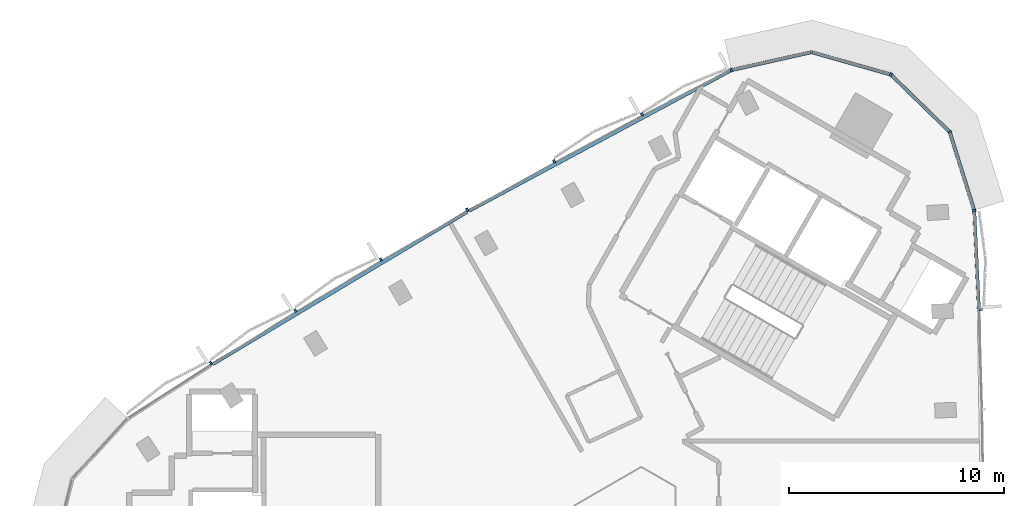
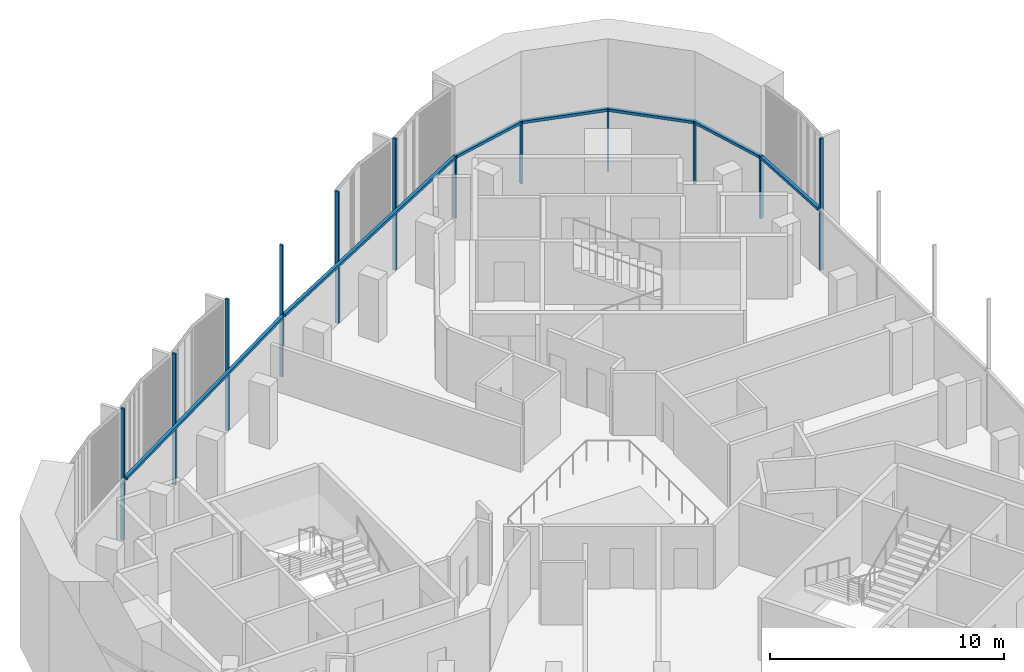
# One storey, part 4 of 12: 19 members, 2 elements without a shape of their own.
"""IFC4 building model written with IfcOpenShell, lengths in metres."""

from ifc_helpers import new_model, si_unit, direction, frame, origin, origin_2d, place, context, subcontext, project, spatial, rectangle, extrude, material, material_profile, profile_set, type_object, element, aggregate, save


model = new_model("IFC4")

# Units and contexts
model_context = context("Model", 3, precision=1e-05, world=origin(), true_north=direction((0.0, 1.0)))
body_context = subcontext(model_context, "Body", "Model", "MODEL_VIEW")
ifc_project = project(units=[si_unit("LENGTHUNIT", "METRE"), si_unit("AREAUNIT", "SQUARE_METRE"), si_unit("VOLUMEUNIT", "CUBIC_METRE"), si_unit("PLANEANGLEUNIT", "RADIAN"), si_unit("MASSUNIT", "GRAM", prefix="KILO")], contexts=[model_context])

# Site, building, storey
site_placement = place(None, origin())
site = spatial("IfcSite", under=ifc_project, at=site_placement, CompositionType="ELEMENT")
building_placement = place(site_placement, origin())
building = spatial("IfcBuilding", under=site, at=building_placement, Name="Tamra Quay Hotel Tower", CompositionType="ELEMENT")
storey_placement = place(building_placement, frame((0.0, 0.0, 262.199951171875)))
storey = spatial("IfcBuildingStorey", under=building, at=storey_placement, Name="L66", CompositionType="ELEMENT", Elevation=262.199951171875)

# Curtain wall, members
ifc_material = material(Name="Aluminium 6063 anodised dark grey", Category="aluminium")
curtain_wall_type_1 = type_object("IfcCurtainWallType", Name="CW1 CURTAIN WALL", PredefinedType="NOTDEFINED", material=ifc_material)
curtain_wall_1_placement = place(storey_placement, origin())
curtain_wall_1 = element("IfcCurtainWall", 1, at=curtain_wall_1_placement, inside=storey, type_object=curtain_wall_type_1, Name="CW1 east face L66", PredefinedType="NOTDEFINED")
ifc_material_profile_1 = material_profile(ifc_material, rectangle(XDim=0.159912109375, YDim=0.10009765625, at=origin_2d()), Name="MULLION 100X160")
ifc_profile_set_1 = profile_set([ifc_material_profile_1], Name="Aluminium 6063 anodised dark grey")
member_type_1 = type_object("IfcMemberType", Name="MULLION CW1 Z6", PredefinedType="MULLION", material=ifc_profile_set_1)
member_1_placement = place(storey_placement, frame((17.19677734375, 11.583984375, 0.0), z_axis=(0.0, 0.0, 1.0), x_axis=(0.999237932992, 0.039032720501, 0.0)))
member_1 = element("IfcMember", 2, at=member_1_placement, type_object=member_type_1, Name="CW1 mullion L66.E.7", PredefinedType="MULLION", context=body_context, shape_type="SweptSolid", body=[
    extrude(rectangle(XDim=0.159912109375, YDim=0.10009765625, at=origin_2d()), origin(), (0.0, 0.0, 1.0), 6.85009765625),
])
member_2_placement = place(storey_placement, frame((16.89990234375, 16.210205078125, 0.0), z_axis=(0.0, 0.0, 1.0), x_axis=(0.984739919862, 0.174032440167, 0.0)))
member_2 = element("IfcMember", 3, at=member_2_placement, type_object=member_type_1, Name="CW1 mullion L66.E.8", PredefinedType="MULLION", context=body_context, shape_type="SweptSolid", body=[
    extrude(rectangle(XDim=0.159912109375, YDim=0.10009765625, at=origin_2d()), origin(), (0.0, 0.0, 1.0), 3.25),
])
member_3_placement = place(storey_placement, frame((15.757080078125, 19.865966796875, 0.0), z_axis=(0.0, 0.0, 1.0), x_axis=(0.851964184595, 0.523600065094, 0.0)))
member_3 = element("IfcMember", 4, at=member_3_placement, type_object=member_type_1, Name="CW1 mullion L66.E.9", PredefinedType="MULLION", context=body_context, shape_type="SweptSolid", body=[
    extrude(rectangle(XDim=0.159912109375, YDim=0.10009765625, at=origin_2d()), origin(), (0.0, 0.0, 1.0), 3.25),
])
member_4_placement = place(storey_placement, frame((13.01171875, 22.536865234375, 0.0), z_axis=(0.0, 0.0, 1.0), x_axis=(0.5, 0.866025403784, 0.0)))
member_4 = element("IfcMember", 5, at=member_4_placement, type_object=member_type_1, Name="CW1 mullion L66.E.10", PredefinedType="MULLION", context=body_context, shape_type="SweptSolid", body=[
    extrude(rectangle(XDim=0.159912109375, YDim=0.10009765625, at=origin_2d()), origin(), (0.0, 0.0, 1.0), 3.25),
])
member_5_placement = place(storey_placement, frame((9.325927734375, 23.578857421875, 0.0), z_axis=(0.0, 0.0, 1.0), x_axis=(0.027468865497, 0.999622659521, 0.0)))
member_5 = element("IfcMember", 6, at=member_5_placement, type_object=member_type_1, Name="CW1 mullion L66.E.11", PredefinedType="MULLION", context=body_context, shape_type="SweptSolid", body=[
    extrude(rectangle(XDim=0.159912109375, YDim=0.10009765625, at=origin_2d()), origin(), (0.0, 0.0, 1.0), 3.25),
])

curtain_wall_type_2 = type_object("IfcCurtainWallType", Name="CW2 CURTAIN WALL", PredefinedType="NOTDEFINED", material=ifc_material)
curtain_wall_2_placement = place(storey_placement, origin())
curtain_wall_2 = element("IfcCurtainWall", 7, at=curtain_wall_2_placement, inside=storey, type_object=curtain_wall_type_2, Name="CW2 north-west face L66", PredefinedType="NOTDEFINED")
ifc_material_profile_2 = material_profile(ifc_material, rectangle(XDim=0.159912109375, YDim=0.10009765625, at=origin_2d()), Name="MULLION 100X160")
ifc_profile_set_2 = profile_set([ifc_material_profile_2], Name="Aluminium 6063 anodised dark grey")
member_type_2 = type_object("IfcMemberType", Name="MULLION CW2 Z6", PredefinedType="MULLION", material=ifc_profile_set_2)
member_6_placement = place(storey_placement, frame((5.588623046875, 22.740966796875, 0.0), z_axis=(0.0, 0.0, 1.0), x_axis=(-0.341653445664, 0.939826006804, 0.0)))
member_6 = element("IfcMember", 8, at=member_6_placement, type_object=member_type_2, Name="CW2 mullion L66.NW.1", PredefinedType="MULLION", context=body_context, shape_type="SweptSolid", body=[
    extrude(rectangle(XDim=0.159912109375, YDim=0.10009765625, at=origin_2d()), origin(), (0.0, 0.0, 1.0), 3.25),
])
member_7_placement = place(storey_placement, frame((1.43359375, 20.684814453125, 0.0), z_axis=(0.0, 0.0, 1.0), x_axis=(-0.465815638963, 0.884881794647, 0.0)))
member_7 = element("IfcMember", 9, at=member_7_placement, type_object=member_type_2, Name="CW2 mullion L66.NW.2", PredefinedType="MULLION", context=body_context, shape_type="SweptSolid", body=[
    extrude(rectangle(XDim=0.159912109375, YDim=0.10009765625, at=origin_2d()), origin(), (0.0, 0.0, 1.0), 6.85009765625),
])
member_8_placement = place(storey_placement, frame((-2.650146484375, 18.494384765625, 0.0), z_axis=(0.0, 0.0, 1.0), x_axis=(-0.479564906203, 0.877506410654, 0.0)))
member_8 = element("IfcMember", 10, at=member_8_placement, type_object=member_type_2, Name="CW2 mullion L66.NW.3", PredefinedType="MULLION", context=body_context, shape_type="SweptSolid", body=[
    extrude(rectangle(XDim=0.159912109375, YDim=0.10009765625, at=origin_2d()), origin(), (0.0, 0.0, 1.0), 6.85009765625),
])
member_9_placement = place(storey_placement, frame((-6.699951171875, 16.23974609375, 0.0), z_axis=(0.0, 0.0, 1.0), x_axis=(-0.493215493305, 0.869907165831, 0.0)))
member_9 = element("IfcMember", 11, at=member_9_placement, type_object=member_type_2, Name="CW2 mullion L66.NW.4", PredefinedType="MULLION", context=body_context, shape_type="SweptSolid", body=[
    extrude(rectangle(XDim=0.159912109375, YDim=0.10009765625, at=origin_2d()), origin(), (0.0, 0.0, 1.0), 6.85009765625),
])
member_10_placement = place(storey_placement, frame((-10.714111328125, 13.92236328125, 0.0), z_axis=(0.0, 0.0, 1.0), x_axis=(-0.506753957891, 0.862090729658, 0.0)))
member_10 = element("IfcMember", 12, at=member_10_placement, type_object=member_type_2, Name="CW2 mullion L66.NW.5", PredefinedType="MULLION", context=body_context, shape_type="SweptSolid", body=[
    extrude(rectangle(XDim=0.159912109375, YDim=0.10009765625, at=origin_2d()), origin(), (0.0, 0.0, 1.0), 6.85009765625),
])
member_11_placement = place(storey_placement, frame((-14.691650390625, 11.542236328125, 0.0), z_axis=(0.0, 0.0, 1.0), x_axis=(-0.520160390508, 0.854068596862, 0.0)))
member_11 = element("IfcMember", 13, at=member_11_placement, type_object=member_type_2, Name="CW2 mullion L66.NW.6", PredefinedType="MULLION", context=body_context, shape_type="SweptSolid", body=[
    extrude(rectangle(XDim=0.159912109375, YDim=0.10009765625, at=origin_2d()), origin(), (0.0, 0.0, 1.0), 6.85009765625),
])
member_12_placement = place(storey_placement, frame((-18.630615234375, 9.100830078125, 0.0), z_axis=(0.0, 0.0, 1.0), x_axis=(-0.533422294029, 0.845849074146, 0.0)))
member_12 = element("IfcMember", 14, at=member_12_placement, type_object=member_type_2, Name="CW2 mullion L66.NW.7", PredefinedType="MULLION", context=body_context, shape_type="SweptSolid", body=[
    extrude(rectangle(XDim=0.159912109375, YDim=0.10009765625, at=origin_2d()), origin(), (0.0, 0.0, 1.0), 6.85009765625),
])

# Member
ifc_material_profile_3 = material_profile(ifc_material, rectangle(XDim=0.159912109375, YDim=0.139892578125, at=origin_2d()), Name="TRANSOM 160X140")
ifc_profile_set_3 = profile_set([ifc_material_profile_3], Name="Aluminium 6063 anodised dark grey")
member_type_3 = type_object("IfcMemberType", Name="TRANSOM CW1 Z6", PredefinedType="USERDEFINED", material=ifc_profile_set_3)
member_13_placement = place(storey_placement, frame((17.114501953125, 11.630859375, 3.179931640625), z_axis=(-0.046787491417, 0.998904865664, 0.0), x_axis=(-0.998904865664, -0.046787491417, 0.0)))
member_13 = element("IfcMember", 15, at=member_13_placement, type_object=member_type_3, Name="CW1 transom L66.E.7", ObjectType="TRANSOM", PredefinedType="USERDEFINED", context=body_context, shape_type="SweptSolid", body=[
    extrude(rectangle(XDim=0.159912109375, YDim=0.139892578125, at=origin_2d()), origin(), (0.0, 0.0, 1.0), 4.534423828125),
])

member_14_placement = place(storey_placement, frame((16.885009765625, 16.258056640625, 3.179931640625), z_axis=(-0.298383063983, 0.95444619918, 0.0), x_axis=(-0.95444619918, -0.298383063983, 0.0)))
member_14 = element("IfcMember", 16, at=member_14_placement, type_object=member_type_3, Name="CW1 transom L66.E.8", ObjectType="TRANSOM", PredefinedType="USERDEFINED", context=body_context, shape_type="SweptSolid", body=[
    extrude(rectangle(XDim=0.159912109375, YDim=0.139892578125, at=origin_2d()), origin(), (0.0, 0.0, 1.0), 3.730224609375),
])

member_15_placement = place(storey_placement, frame((15.72119140625, 19.90087890625, 3.179931640625), z_axis=(-0.716759527702, 0.697320428102, 0.0), x_axis=(-0.697320428102, -0.716759527702, 0.0)))
member_15 = element("IfcMember", 17, at=member_15_placement, type_object=member_type_3, Name="CW1 transom L66.E.9", ObjectType="TRANSOM", PredefinedType="USERDEFINED", context=body_context, shape_type="SweptSolid", body=[
    extrude(rectangle(XDim=0.159912109375, YDim=0.139892578125, at=origin_2d()), origin(), (0.0, 0.0, 1.0), 3.72998046875),
])

member_16_placement = place(storey_placement, frame((12.963623046875, 22.550537109375, 3.179931640625), z_axis=(-0.9622784918, 0.272066359955, 0.0), x_axis=(-0.272066359955, -0.9622784918, 0.0)))
member_16 = element("IfcMember", 18, at=member_16_placement, type_object=member_type_3, Name="CW1 transom L66.E.10", ObjectType="TRANSOM", PredefinedType="USERDEFINED", context=body_context, shape_type="SweptSolid", body=[
    extrude(rectangle(XDim=0.159912109375, YDim=0.139892578125, at=origin_2d()), origin(), (0.0, 0.0, 1.0), 3.730224609375),
])

member_17_placement = place(storey_placement, frame((9.277099609375, 23.568115234375, 3.179931640625), z_axis=(-0.975757055509, -0.218856502356, 0.0), x_axis=(0.218856502356, -0.975757055509, 0.0)))
member_17 = element("IfcMember", 19, at=member_17_placement, type_object=member_type_3, Name="CW1 transom L66.E.11", ObjectType="TRANSOM", PredefinedType="USERDEFINED", context=body_context, shape_type="SweptSolid", body=[
    extrude(rectangle(XDim=0.159912109375, YDim=0.139892578125, at=origin_2d()), origin(), (0.0, 0.0, 1.0), 3.730224609375),
])

aggregate(curtain_wall_1, [member_1, member_13, member_2, member_14, member_3, member_15, member_4, member_16, member_5, member_17])

ifc_material_profile_4 = material_profile(ifc_material, rectangle(XDim=0.159912109375, YDim=0.139892578125, at=origin_2d()), Name="TRANSOM 160X140")
ifc_profile_set_4 = profile_set([ifc_material_profile_4], Name="Aluminium 6063 anodised dark grey")
member_type_4 = type_object("IfcMemberType", Name="TRANSOM CW2 Z6", PredefinedType="USERDEFINED", material=ifc_profile_set_4)
member_18_placement = place(storey_placement, frame((5.544189453125, 22.718017578125, 3.179931640625), z_axis=(-0.881218148164, -0.472709821504, 0.0), x_axis=(0.472709821504, -0.881218148164, 0.0)))
member_18 = element("IfcMember", 20, at=member_18_placement, type_object=member_type_4, Name="CW2 transom L66.NW.1", ObjectType="TRANSOM", PredefinedType="USERDEFINED", context=body_context, shape_type="SweptSolid", body=[
    extrude(rectangle(XDim=0.159912109375, YDim=0.139892578125, at=origin_2d()), origin(), (0.0, 0.0, 1.0), 13.800048828125),
])

member_19_placement = place(storey_placement, frame((-6.703857421875, 16.145263671875, 3.179931640625), z_axis=(-0.858107364644, -0.513470301715, 0.0), x_axis=(0.513470301715, -0.858107364644, 0.0)))
member_19 = element("IfcMember", 21, at=member_19_placement, type_object=member_type_4, Name="CW2 transom L66.NW.4", ObjectType="TRANSOM", PredefinedType="USERDEFINED", context=body_context, shape_type="SweptSolid", body=[
    extrude(rectangle(XDim=0.159912109375, YDim=0.139892578125, at=origin_2d()), origin(), (0.0, 0.0, 1.0), 13.799560546875),
])

aggregate(curtain_wall_2, [member_6, member_18, member_7, member_8, member_9, member_19, member_10, member_11, member_12])

save(model, "model.ifc")
